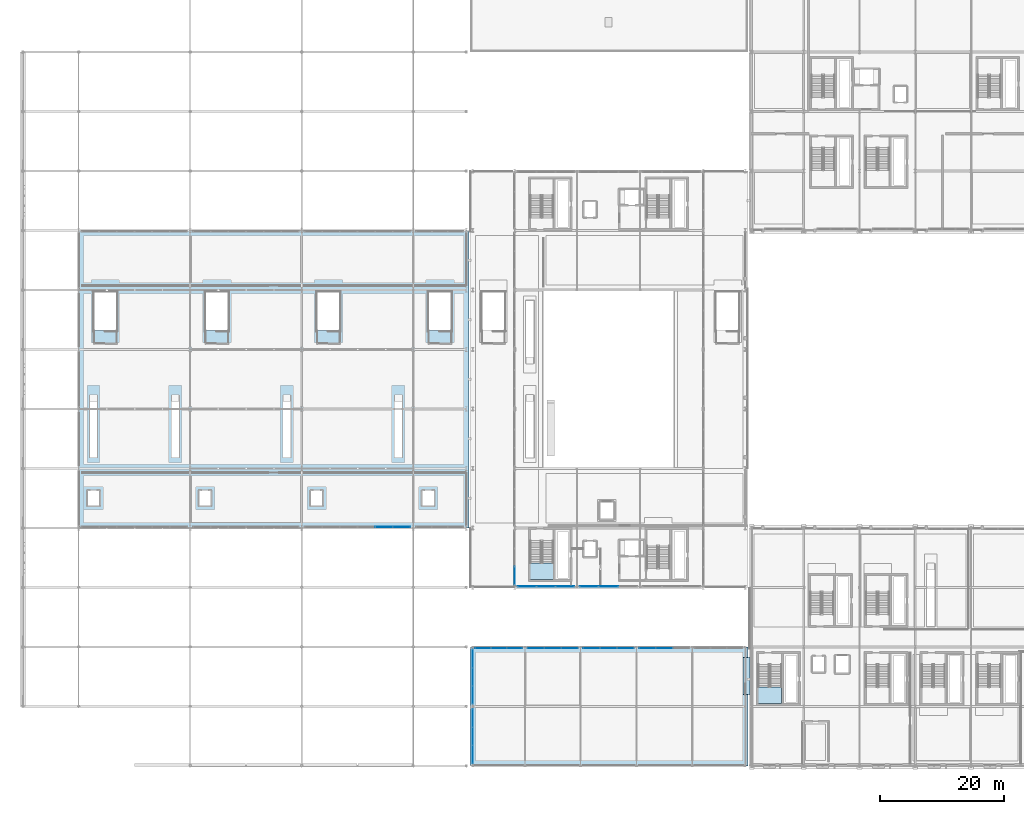
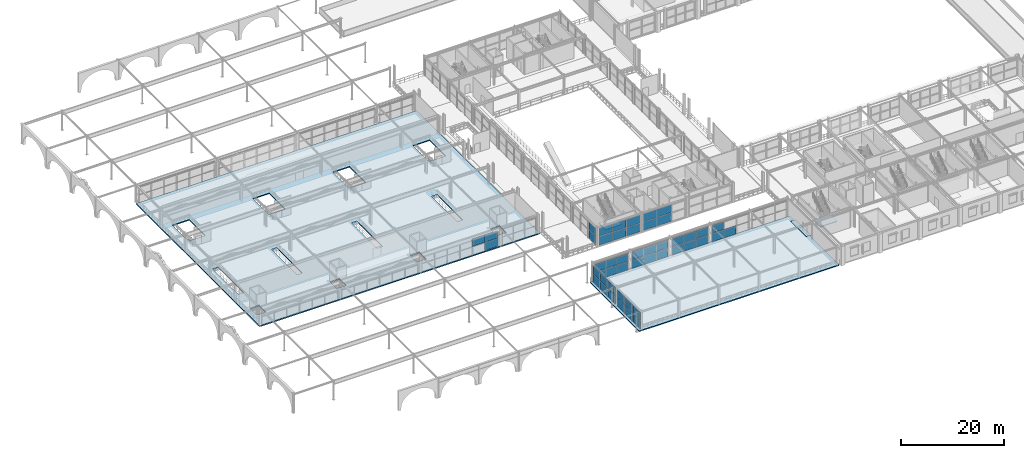
# One storey, part 59 of 125: 48 plates, 5 slabs, 12 elements without a shape of their own.
"""IFC4 building model written with IfcOpenShell, lengths in metres."""

from ifc_helpers import new_model, si_unit, direction, frame, origin, origin_2d, place, context, subcontext, project, spatial, polyline, rectangle, outline, extrude, material, layer, layer_set, type_object, element, aggregate, save


model = new_model("IFC4")

# Units and contexts
model_context = context("Model", 3, precision=1e-05, world=origin(), true_north=direction((0.0, 1.0)))
body_context = subcontext(model_context, "Body", "Model", "MODEL_VIEW")
ifc_project = project(units=[si_unit("LENGTHUNIT", "METRE"), si_unit("AREAUNIT", "SQUARE_METRE"), si_unit("VOLUMEUNIT", "CUBIC_METRE"), si_unit("PLANEANGLEUNIT", "RADIAN"), si_unit("MASSUNIT", "GRAM", prefix="KILO")], contexts=[model_context])

# Site, building, storey
site_placement = place(None, origin())
site = spatial("IfcSite", under=ifc_project, at=site_placement, CompositionType="ELEMENT")
building_placement = place(site_placement, origin())
building = spatial("IfcBuilding", under=site, at=building_placement, Name="Myrtia Square Station", CompositionType="ELEMENT")
storey_placement = place(building_placement, frame((0.0, 0.0, 6.0)))
storey = spatial("IfcBuildingStorey", under=building, at=storey_placement, Name="L01", CompositionType="ELEMENT", Elevation=6.0)

# Curtain wall, plates
ifc_material_1 = material(Name="Dark bronze anodised aluminium", Category="aluminium")
ifc_layer_1 = layer(ifc_material_1, 0.159912109375, Name="Dark bronze anodised aluminium")
ifc_layer_set_1 = layer_set([ifc_layer_1], Name="Dark bronze anodised aluminium")
curtain_wall_type_1 = type_object("IfcCurtainWallType", Name="CW-TYPE-32-826x400", PredefinedType="USERDEFINED", material=ifc_layer_set_1)
curtain_wall_1_placement = place(storey_placement, origin())
curtain_wall_1 = element("IfcCurtainWall", 1, at=curtain_wall_1_placement, inside=storey, type_object=curtain_wall_type_1, Name="Concourse curtain wall CW-L01-107", ObjectType="CONCOURSE CURTAIN WALL", PredefinedType="USERDEFINED")
ifc_material_2 = material(Name="Tinted low-E solar control glass", Category="glass")
ifc_layer_2 = layer(ifc_material_2, 0.02392578125, Name="Tinted low-E solar control glass")
ifc_layer_set_2 = layer_set([ifc_layer_2], Name="Tinted low-E solar control glass")
plate_type_1 = type_object("IfcPlateType", Name="CWP-GLZ-24", PredefinedType="CURTAIN_PANEL", material=ifc_layer_set_2)
plate_1_placement = place(storey_placement, frame((91.762939453125, 19.0, 0.06494140625), z_axis=(0.0, 0.0, 1.0), x_axis=(1.0, 0.0, 0.0)))
plate_1 = element("IfcPlate", 2, at=plate_1_placement, type_object=plate_type_1, Name="CW-107 panel 1.1", PredefinedType="CURTAIN_PANEL", context=body_context, shape_type="SweptSolid", body=[
    extrude(rectangle(XDim=2.65576171875, YDim=0.02392578125, at=origin_2d()), origin(), (0.0, 0.0, 1.0), 1.982421875),
])
plate_2_placement = place(storey_placement, frame((91.762939453125, 19.0, 2.1123046875), z_axis=(0.0, 0.0, 1.0), x_axis=(1.0, 0.0, 0.0)))
plate_2 = element("IfcPlate", 3, at=plate_2_placement, type_object=plate_type_1, Name="CW-107 panel 1.2", PredefinedType="CURTAIN_PANEL", context=body_context, shape_type="SweptSolid", body=[
    extrude(rectangle(XDim=2.65576171875, YDim=0.02392578125, at=origin_2d()), origin(), (0.0, 0.0, 1.0), 1.822509765625),
])
plate_3_placement = place(storey_placement, frame((94.5, 19.0, 0.06494140625), z_axis=(0.0, 0.0, 1.0), x_axis=(1.0, 0.0, 0.0)))
plate_3 = element("IfcPlate", 4, at=plate_3_placement, type_object=plate_type_1, Name="CW-107 panel 2.1", PredefinedType="CURTAIN_PANEL", context=body_context, shape_type="SweptSolid", body=[
    extrude(rectangle(XDim=2.688232421875, YDim=0.02392578125, at=origin_2d()), origin(), (0.0, 0.0, 1.0), 1.982421875),
])
plate_4_placement = place(storey_placement, frame((94.5, 19.0, 2.1123046875), z_axis=(0.0, 0.0, 1.0), x_axis=(1.0, 0.0, 0.0)))
plate_4 = element("IfcPlate", 5, at=plate_4_placement, type_object=plate_type_1, Name="CW-107 panel 2.2", PredefinedType="CURTAIN_PANEL", context=body_context, shape_type="SweptSolid", body=[
    extrude(rectangle(XDim=2.688232421875, YDim=0.02392578125, at=origin_2d()), origin(), (0.0, 0.0, 1.0), 1.822509765625),
])
plate_5_placement = place(storey_placement, frame((97.237060546875, 19.0, 0.06494140625), z_axis=(0.0, 0.0, 1.0), x_axis=(1.0, 0.0, 0.0)))
plate_5 = element("IfcPlate", 6, at=plate_5_placement, type_object=plate_type_1, Name="CW-107 panel 3.1", PredefinedType="CURTAIN_PANEL", context=body_context, shape_type="SweptSolid", body=[
    extrude(rectangle(XDim=2.65576171875, YDim=0.02392578125, at=origin_2d()), origin(), (0.0, 0.0, 1.0), 1.982421875),
])
plate_6_placement = place(storey_placement, frame((97.237060546875, 19.0, 2.1123046875), z_axis=(0.0, 0.0, 1.0), x_axis=(1.0, 0.0, 0.0)))
plate_6 = element("IfcPlate", 7, at=plate_6_placement, type_object=plate_type_1, Name="CW-107 panel 3.2", PredefinedType="CURTAIN_PANEL", context=body_context, shape_type="SweptSolid", body=[
    extrude(rectangle(XDim=2.65576171875, YDim=0.02392578125, at=origin_2d()), origin(), (0.0, 0.0, 1.0), 1.822509765625),
])
aggregate(curtain_wall_1, [plate_1, plate_2, plate_3, plate_4, plate_5, plate_6])

ifc_layer_3 = layer(ifc_material_1, 0.159912109375, Name="Dark bronze anodised aluminium")
ifc_layer_set_3 = layer_set([ifc_layer_3], Name="Dark bronze anodised aluminium")
curtain_wall_type_2 = type_object("IfcCurtainWallType", Name="CW-TYPE-10-946x415", PredefinedType="USERDEFINED", material=ifc_layer_set_3)
curtain_wall_2_placement = place(storey_placement, origin())
curtain_wall_2 = element("IfcCurtainWall", 8, at=curtain_wall_2_placement, inside=storey, type_object=curtain_wall_type_2, Name="Concourse curtain wall CW-L01-043", ObjectType="CONCOURSE CURTAIN WALL", PredefinedType="USERDEFINED")
ifc_layer_4 = layer(ifc_material_2, 0.028076171875, Name="Tinted low-E solar control glass")
ifc_layer_set_4 = layer_set([ifc_layer_4], Name="Tinted low-E solar control glass")
plate_type_2 = type_object("IfcPlateType", Name="CWP-GLZ-28", PredefinedType="CURTAIN_PANEL", material=ifc_layer_set_4)
plate_7_placement = place(storey_placement, frame((91.365478515625, 28.949951171875, 0.074951171875), z_axis=(0.0, 0.0, 1.0), x_axis=(1.0, 0.0, 0.0)))
plate_7 = element("IfcPlate", 9, at=plate_7_placement, type_object=plate_type_2, Name="CW-043 panel 1.1", PredefinedType="CURTAIN_PANEL", context=body_context, shape_type="SweptSolid", body=[
    extrude(rectangle(XDim=3.040771484375, YDim=0.028076171875, at=origin_2d()), origin(), (0.0, 0.0, 1.0), 2.04541015625),
])
plate_8_placement = place(storey_placement, frame((91.365478515625, 28.949951171875, 2.195556640625), z_axis=(0.0, 0.0, 1.0), x_axis=(1.0, 0.0, 0.0)))
plate_8 = element("IfcPlate", 10, at=plate_8_placement, type_object=plate_type_2, Name="CW-043 panel 1.2", PredefinedType="CURTAIN_PANEL", context=body_context, shape_type="SweptSolid", body=[
    extrude(rectangle(XDim=3.040771484375, YDim=0.028076171875, at=origin_2d()), origin(), (0.0, 0.0, 1.0), 1.87939453125),
])
plate_9_placement = place(storey_placement, frame((94.5, 28.949951171875, 0.074951171875), z_axis=(0.0, 0.0, 1.0), x_axis=(1.0, 0.0, 0.0)))
plate_9 = element("IfcPlate", 11, at=plate_9_placement, type_object=plate_type_2, Name="CW-043 panel 2.1", PredefinedType="CURTAIN_PANEL", context=body_context, shape_type="SweptSolid", body=[
    extrude(rectangle(XDim=3.078369140625, YDim=0.028076171875, at=origin_2d()), origin(), (0.0, 0.0, 1.0), 2.04541015625),
])
plate_10_placement = place(storey_placement, frame((94.5, 28.949951171875, 2.195556640625), z_axis=(0.0, 0.0, 1.0), x_axis=(1.0, 0.0, 0.0)))
plate_10 = element("IfcPlate", 12, at=plate_10_placement, type_object=plate_type_2, Name="CW-043 panel 2.2", PredefinedType="CURTAIN_PANEL", context=body_context, shape_type="SweptSolid", body=[
    extrude(rectangle(XDim=3.078369140625, YDim=0.028076171875, at=origin_2d()), origin(), (0.0, 0.0, 1.0), 1.87939453125),
])
aggregate(curtain_wall_2, [plate_7, plate_8, plate_9, plate_10])

ifc_layer_5 = layer(ifc_material_1, 0.159912109375, Name="Dark bronze anodised aluminium")
ifc_layer_set_5 = layer_set([ifc_layer_5], Name="Dark bronze anodised aluminium")
curtain_wall_type_3 = type_object("IfcCurtainWallType", Name="CW-TYPE-18-855x385", PredefinedType="USERDEFINED", material=ifc_layer_set_5)
curtain_wall_3_placement = place(storey_placement, origin())
curtain_wall_3 = element("IfcCurtainWall", 13, at=curtain_wall_3_placement, inside=storey, type_object=curtain_wall_type_3, Name="Concourse curtain wall CW-L01-069", ObjectType="CONCOURSE CURTAIN WALL", PredefinedType="USERDEFINED")
plate_11_placement = place(storey_placement, frame((58.27490234375, 38.550048828125, 2.03173828125), z_axis=(0.0, 0.0, 1.0), x_axis=(1.0, 0.0, 0.0)))
plate_11 = element("IfcPlate", 14, at=plate_11_placement, type_object=plate_type_2, Name="CW-069 panel 2.2", PredefinedType="CURTAIN_PANEL", context=body_context, shape_type="SweptSolid", body=[
    extrude(rectangle(XDim=2.7900390625, YDim=0.028076171875, at=origin_2d()), origin(), (0.0, 0.0, 1.0), 1.758056640625),
])
plate_12_placement = place(storey_placement, frame((61.110107421875, 38.550048828125, 0.06005859375), z_axis=(0.0, 0.0, 1.0), x_axis=(1.0, 0.0, 0.0)))
plate_12 = element("IfcPlate", 15, at=plate_12_placement, type_object=plate_type_2, Name="CW-069 panel 3.1", PredefinedType="CURTAIN_PANEL", context=body_context, shape_type="SweptSolid", body=[
    extrude(rectangle(XDim=2.760009765625, YDim=0.028076171875, at=origin_2d()), origin(), (0.0, 0.0, 1.0), 1.912109375),
])
plate_13_placement = place(storey_placement, frame((61.110107421875, 38.550048828125, 2.03173828125), z_axis=(0.0, 0.0, 1.0), x_axis=(1.0, 0.0, 0.0)))
plate_13 = element("IfcPlate", 16, at=plate_13_placement, type_object=plate_type_2, Name="CW-069 panel 3.2", PredefinedType="CURTAIN_PANEL", context=body_context, shape_type="SweptSolid", body=[
    extrude(rectangle(XDim=2.760009765625, YDim=0.028076171875, at=origin_2d()), origin(), (0.0, 0.0, 1.0), 1.758056640625),
])
aggregate(curtain_wall_3, [plate_11, plate_12, plate_13])

ifc_layer_6 = layer(ifc_material_1, 0.159912109375, Name="Dark bronze anodised aluminium")
ifc_layer_set_6 = layer_set([ifc_layer_6], Name="Dark bronze anodised aluminium")
curtain_wall_type_4 = type_object("IfcCurtainWallType", Name="CW-TYPE-03-880x400", PredefinedType="USERDEFINED", material=ifc_layer_set_6)
curtain_wall_4_placement = place(storey_placement, origin())
curtain_wall_4 = element("IfcCurtainWall", 17, at=curtain_wall_4_placement, inside=storey, type_object=curtain_wall_type_4, Name="Concourse curtain wall CW-L01-005", ObjectType="CONCOURSE CURTAIN WALL", PredefinedType="USERDEFINED")
ifc_layer_7 = layer(ifc_material_2, 0.031982421875, Name="Tinted low-E solar control glass")
ifc_layer_set_7 = layer_set([ifc_layer_7], Name="Tinted low-E solar control glass")
plate_type_3 = type_object("IfcPlateType", Name="CWP-GLZ-32", PredefinedType="CURTAIN_PANEL", material=ifc_layer_set_7)
plate_14_placement = place(storey_placement, frame((79.35009765625, 30.682861328125, 0.06494140625), z_axis=(0.0, 0.0, 1.0), x_axis=(0.0, 1.0, 0.0)))
plate_14 = element("IfcPlate", 18, at=plate_14_placement, type_object=plate_type_3, Name="CW-005 panel 1.1", PredefinedType="CURTAIN_PANEL", context=body_context, shape_type="SweptSolid", body=[
    extrude(rectangle(XDim=2.8359375, YDim=0.031982421875, at=origin_2d()), origin(), (0.0, 0.0, 1.0), 1.982421875),
])
plate_15_placement = place(storey_placement, frame((79.35009765625, 30.682861328125, 2.1123046875), z_axis=(0.0, 0.0, 1.0), x_axis=(0.0, 1.0, 0.0)))
plate_15 = element("IfcPlate", 19, at=plate_15_placement, type_object=plate_type_3, Name="CW-005 panel 1.2", PredefinedType="CURTAIN_PANEL", context=body_context, shape_type="SweptSolid", body=[
    extrude(rectangle(XDim=2.8359375, YDim=0.031982421875, at=origin_2d()), origin(), (0.0, 0.0, 1.0), 1.822509765625),
])
aggregate(curtain_wall_4, [plate_14, plate_15])

curtain_wall_5_placement = place(storey_placement, origin())
curtain_wall_5 = element("IfcCurtainWall", 20, at=curtain_wall_5_placement, inside=storey, type_object=curtain_wall_type_1, Name="Concourse curtain wall CW-L01-105", ObjectType="CONCOURSE CURTAIN WALL", PredefinedType="USERDEFINED")
plate_16_placement = place(storey_placement, frame((82.762939453125, 19.0, 0.06494140625), z_axis=(0.0, 0.0, 1.0), x_axis=(1.0, 0.0, 0.0)))
plate_16 = element("IfcPlate", 21, at=plate_16_placement, type_object=plate_type_3, Name="CW-105 panel 1.1", PredefinedType="CURTAIN_PANEL", context=body_context, shape_type="SweptSolid", body=[
    extrude(rectangle(XDim=2.65576171875, YDim=0.031982421875, at=origin_2d()), origin(), (0.0, 0.0, 1.0), 1.982421875),
])
plate_17_placement = place(storey_placement, frame((82.762939453125, 19.0, 2.1123046875), z_axis=(0.0, 0.0, 1.0), x_axis=(1.0, 0.0, 0.0)))
plate_17 = element("IfcPlate", 22, at=plate_17_placement, type_object=plate_type_3, Name="CW-105 panel 1.2", PredefinedType="CURTAIN_PANEL", context=body_context, shape_type="SweptSolid", body=[
    extrude(rectangle(XDim=2.65576171875, YDim=0.031982421875, at=origin_2d()), origin(), (0.0, 0.0, 1.0), 1.822509765625),
])
plate_18_placement = place(storey_placement, frame((85.5, 19.0, 0.06494140625), z_axis=(0.0, 0.0, 1.0), x_axis=(1.0, 0.0, 0.0)))
plate_18 = element("IfcPlate", 23, at=plate_18_placement, type_object=plate_type_3, Name="CW-105 panel 2.1", PredefinedType="CURTAIN_PANEL", context=body_context, shape_type="SweptSolid", body=[
    extrude(rectangle(XDim=2.688232421875, YDim=0.031982421875, at=origin_2d()), origin(), (0.0, 0.0, 1.0), 1.982421875),
])
plate_19_placement = place(storey_placement, frame((85.5, 19.0, 2.1123046875), z_axis=(0.0, 0.0, 1.0), x_axis=(1.0, 0.0, 0.0)))
plate_19 = element("IfcPlate", 24, at=plate_19_placement, type_object=plate_type_3, Name="CW-105 panel 2.2", PredefinedType="CURTAIN_PANEL", context=body_context, shape_type="SweptSolid", body=[
    extrude(rectangle(XDim=2.688232421875, YDim=0.031982421875, at=origin_2d()), origin(), (0.0, 0.0, 1.0), 1.822509765625),
])
plate_20_placement = place(storey_placement, frame((88.237060546875, 19.0, 0.06494140625), z_axis=(0.0, 0.0, 1.0), x_axis=(1.0, 0.0, 0.0)))
plate_20 = element("IfcPlate", 25, at=plate_20_placement, type_object=plate_type_3, Name="CW-105 panel 3.1", PredefinedType="CURTAIN_PANEL", context=body_context, shape_type="SweptSolid", body=[
    extrude(rectangle(XDim=2.65576171875, YDim=0.031982421875, at=origin_2d()), origin(), (0.0, 0.0, 1.0), 1.982421875),
])
plate_21_placement = place(storey_placement, frame((88.237060546875, 19.0, 2.1123046875), z_axis=(0.0, 0.0, 1.0), x_axis=(1.0, 0.0, 0.0)))
plate_21 = element("IfcPlate", 26, at=plate_21_placement, type_object=plate_type_3, Name="CW-105 panel 3.2", PredefinedType="CURTAIN_PANEL", context=body_context, shape_type="SweptSolid", body=[
    extrude(rectangle(XDim=2.65576171875, YDim=0.031982421875, at=origin_2d()), origin(), (0.0, 0.0, 1.0), 1.822509765625),
])
aggregate(curtain_wall_5, [plate_16, plate_17, plate_18, plate_19, plate_20, plate_21])

ifc_layer_8 = layer(ifc_material_1, 0.159912109375, Name="Dark bronze anodised aluminium")
ifc_layer_set_8 = layer_set([ifc_layer_8], Name="Dark bronze anodised aluminium")
curtain_wall_type_5 = type_object("IfcCurtainWallType", Name="CW-TYPE-36-886x400", PredefinedType="USERDEFINED", material=ifc_layer_set_8)
curtain_wall_6_placement = place(storey_placement, origin())
curtain_wall_6 = element("IfcCurtainWall", 27, at=curtain_wall_6_placement, inside=storey, type_object=curtain_wall_type_5, Name="Concourse curtain wall CW-L01-114", ObjectType="CONCOURSE CURTAIN WALL", PredefinedType="USERDEFINED")
plate_22_placement = place(storey_placement, frame((72.60009765625, 1.861572265625, 0.06005859375), z_axis=(0.0, 0.0, 1.0), x_axis=(0.0, 1.0, 0.0)))
plate_22 = element("IfcPlate", 28, at=plate_22_placement, type_object=plate_type_3, Name="CW-114 panel 1.1", PredefinedType="CURTAIN_PANEL", context=body_context, shape_type="SweptSolid", body=[
    extrude(rectangle(XDim=2.86328125, YDim=0.031982421875, at=origin_2d()), origin(), (0.0, 0.0, 1.0), 1.989990234375),
])
plate_23_placement = place(storey_placement, frame((72.60009765625, 1.861572265625, 2.10986328125), z_axis=(0.0, 0.0, 1.0), x_axis=(0.0, 1.0, 0.0)))
plate_23 = element("IfcPlate", 29, at=plate_23_placement, type_object=plate_type_3, Name="CW-114 panel 1.2", PredefinedType="CURTAIN_PANEL", context=body_context, shape_type="SweptSolid", body=[
    extrude(rectangle(XDim=2.86328125, YDim=0.031982421875, at=origin_2d()), origin(), (0.0, 0.0, 1.0), 1.830078125),
])
plate_24_placement = place(storey_placement, frame((72.60009765625, 4.800048828125, 0.06005859375), z_axis=(0.0, 0.0, 1.0), x_axis=(0.0, 1.0, 0.0)))
plate_24 = element("IfcPlate", 30, at=plate_24_placement, type_object=plate_type_3, Name="CW-114 panel 2.1", PredefinedType="CURTAIN_PANEL", context=body_context, shape_type="SweptSolid", body=[
    extrude(rectangle(XDim=2.893310546875, YDim=0.031982421875, at=origin_2d()), origin(), (0.0, 0.0, 1.0), 1.989990234375),
])
plate_25_placement = place(storey_placement, frame((72.60009765625, 4.800048828125, 2.10986328125), z_axis=(0.0, 0.0, 1.0), x_axis=(0.0, 1.0, 0.0)))
plate_25 = element("IfcPlate", 31, at=plate_25_placement, type_object=plate_type_3, Name="CW-114 panel 2.2", PredefinedType="CURTAIN_PANEL", context=body_context, shape_type="SweptSolid", body=[
    extrude(rectangle(XDim=2.893310546875, YDim=0.031982421875, at=origin_2d()), origin(), (0.0, 0.0, 1.0), 1.830078125),
])
plate_26_placement = place(storey_placement, frame((72.60009765625, 7.73828125, 0.06005859375), z_axis=(0.0, 0.0, 1.0), x_axis=(0.0, 1.0, 0.0)))
plate_26 = element("IfcPlate", 32, at=plate_26_placement, type_object=plate_type_3, Name="CW-114 panel 3.1", PredefinedType="CURTAIN_PANEL", context=body_context, shape_type="SweptSolid", body=[
    extrude(rectangle(XDim=2.86328125, YDim=0.031982421875, at=origin_2d()), origin(), (0.0, 0.0, 1.0), 1.989990234375),
])
plate_27_placement = place(storey_placement, frame((72.60009765625, 7.73828125, 2.10986328125), z_axis=(0.0, 0.0, 1.0), x_axis=(0.0, 1.0, 0.0)))
plate_27 = element("IfcPlate", 33, at=plate_27_placement, type_object=plate_type_3, Name="CW-114 panel 3.2", PredefinedType="CURTAIN_PANEL", context=body_context, shape_type="SweptSolid", body=[
    extrude(rectangle(XDim=2.86328125, YDim=0.031982421875, at=origin_2d()), origin(), (0.0, 0.0, 1.0), 1.830078125),
])
aggregate(curtain_wall_6, [plate_22, plate_23, plate_24, plate_25, plate_26, plate_27])

ifc_layer_9 = layer(ifc_material_1, 0.159912109375, Name="Dark bronze anodised aluminium")
ifc_layer_set_9 = layer_set([ifc_layer_9], Name="Dark bronze anodised aluminium")
curtain_wall_type_6 = type_object("IfcCurtainWallType", Name="CW-TYPE-09-928x415", PredefinedType="USERDEFINED", material=ifc_layer_set_9)
curtain_wall_7_placement = place(storey_placement, origin())
curtain_wall_7 = element("IfcCurtainWall", 34, at=curtain_wall_7_placement, inside=storey, type_object=curtain_wall_type_6, Name="Concourse curtain wall CW-L01-041", ObjectType="CONCOURSE CURTAIN WALL", PredefinedType="USERDEFINED")
ifc_layer_10 = layer(ifc_material_2, 0.035888671875, Name="Tinted low-E solar control glass")
ifc_layer_set_10 = layer_set([ifc_layer_10], Name="Tinted low-E solar control glass")
plate_type_4 = type_object("IfcPlateType", Name="CWP-GLZ-36", PredefinedType="CURTAIN_PANEL", material=ifc_layer_set_10)
plate_28_placement = place(storey_placement, frame((81.3154296875, 28.949951171875, 0.074951171875), z_axis=(0.0, 0.0, 1.0), x_axis=(1.0, 0.0, 0.0)))
plate_28 = element("IfcPlate", 35, at=plate_28_placement, type_object=plate_type_4, Name="CW-041 panel 1.1", PredefinedType="CURTAIN_PANEL", context=body_context, shape_type="SweptSolid", body=[
    extrude(rectangle(XDim=2.980712890625, YDim=0.035888671875, at=origin_2d()), origin(), (0.0, 0.0, 1.0), 2.04541015625),
])
plate_29_placement = place(storey_placement, frame((81.3154296875, 28.949951171875, 2.195556640625), z_axis=(0.0, 0.0, 1.0), x_axis=(1.0, 0.0, 0.0)))
plate_29 = element("IfcPlate", 36, at=plate_29_placement, type_object=plate_type_4, Name="CW-041 panel 1.2", PredefinedType="CURTAIN_PANEL", context=body_context, shape_type="SweptSolid", body=[
    extrude(rectangle(XDim=2.980712890625, YDim=0.035888671875, at=origin_2d()), origin(), (0.0, 0.0, 1.0), 1.87939453125),
])
plate_30_placement = place(storey_placement, frame((84.389892578125, 28.949951171875, 0.074951171875), z_axis=(0.0, 0.0, 1.0), x_axis=(1.0, 0.0, 0.0)))
plate_30 = element("IfcPlate", 37, at=plate_30_placement, type_object=plate_type_4, Name="CW-041 panel 2.1", PredefinedType="CURTAIN_PANEL", context=body_context, shape_type="SweptSolid", body=[
    extrude(rectangle(XDim=3.018310546875, YDim=0.035888671875, at=origin_2d()), origin(), (0.0, 0.0, 1.0), 2.04541015625),
])
plate_31_placement = place(storey_placement, frame((84.389892578125, 28.949951171875, 2.195556640625), z_axis=(0.0, 0.0, 1.0), x_axis=(1.0, 0.0, 0.0)))
plate_31 = element("IfcPlate", 38, at=plate_31_placement, type_object=plate_type_4, Name="CW-041 panel 2.2", PredefinedType="CURTAIN_PANEL", context=body_context, shape_type="SweptSolid", body=[
    extrude(rectangle(XDim=3.018310546875, YDim=0.035888671875, at=origin_2d()), origin(), (0.0, 0.0, 1.0), 1.87939453125),
])
plate_32_placement = place(storey_placement, frame((87.464599609375, 28.949951171875, 0.074951171875), z_axis=(0.0, 0.0, 1.0), x_axis=(1.0, 0.0, 0.0)))
plate_32 = element("IfcPlate", 39, at=plate_32_placement, type_object=plate_type_4, Name="CW-041 panel 3.1", PredefinedType="CURTAIN_PANEL", context=body_context, shape_type="SweptSolid", body=[
    extrude(rectangle(XDim=2.980712890625, YDim=0.035888671875, at=origin_2d()), origin(), (0.0, 0.0, 1.0), 2.04541015625),
])
plate_33_placement = place(storey_placement, frame((87.464599609375, 28.949951171875, 2.195556640625), z_axis=(0.0, 0.0, 1.0), x_axis=(1.0, 0.0, 0.0)))
plate_33 = element("IfcPlate", 40, at=plate_33_placement, type_object=plate_type_4, Name="CW-041 panel 3.2", PredefinedType="CURTAIN_PANEL", context=body_context, shape_type="SweptSolid", body=[
    extrude(rectangle(XDim=2.980712890625, YDim=0.035888671875, at=origin_2d()), origin(), (0.0, 0.0, 1.0), 1.87939453125),
])
aggregate(curtain_wall_7, [plate_28, plate_29, plate_30, plate_31, plate_32, plate_33])

ifc_layer_11 = layer(ifc_material_1, 0.159912109375, Name="Dark bronze anodised aluminium")
ifc_layer_set_11 = layer_set([ifc_layer_11], Name="Dark bronze anodised aluminium")
curtain_wall_type_7 = type_object("IfcCurtainWallType", Name="CW-TYPE-29-766x400", PredefinedType="USERDEFINED", material=ifc_layer_set_11)
curtain_wall_8_placement = place(storey_placement, origin())
curtain_wall_8 = element("IfcCurtainWall", 41, at=curtain_wall_8_placement, inside=storey, type_object=curtain_wall_type_7, Name="Concourse curtain wall CW-L01-102", ObjectType="CONCOURSE CURTAIN WALL", PredefinedType="USERDEFINED")
plate_34_placement = place(storey_placement, frame((74.262939453125, 19.0, 0.06494140625), z_axis=(0.0, 0.0, 1.0), x_axis=(1.0, 0.0, 0.0)))
plate_34 = element("IfcPlate", 42, at=plate_34_placement, type_object=plate_type_4, Name="CW-102 panel 1.1", PredefinedType="CURTAIN_PANEL", context=body_context, shape_type="SweptSolid", body=[
    extrude(rectangle(XDim=2.455810546875, YDim=0.035888671875, at=origin_2d()), origin(), (0.0, 0.0, 1.0), 1.982421875),
])
plate_35_placement = place(storey_placement, frame((74.262939453125, 19.0, 2.1123046875), z_axis=(0.0, 0.0, 1.0), x_axis=(1.0, 0.0, 0.0)))
plate_35 = element("IfcPlate", 43, at=plate_35_placement, type_object=plate_type_4, Name="CW-102 panel 1.2", PredefinedType="CURTAIN_PANEL", context=body_context, shape_type="SweptSolid", body=[
    extrude(rectangle(XDim=2.455810546875, YDim=0.035888671875, at=origin_2d()), origin(), (0.0, 0.0, 1.0), 1.822509765625),
])
plate_36_placement = place(storey_placement, frame((76.800048828125, 19.0, 0.06494140625), z_axis=(0.0, 0.0, 1.0), x_axis=(1.0, 0.0, 0.0)))
plate_36 = element("IfcPlate", 44, at=plate_36_placement, type_object=plate_type_4, Name="CW-102 panel 2.1", PredefinedType="CURTAIN_PANEL", context=body_context, shape_type="SweptSolid", body=[
    extrude(rectangle(XDim=2.48828125, YDim=0.035888671875, at=origin_2d()), origin(), (0.0, 0.0, 1.0), 1.982421875),
])
plate_37_placement = place(storey_placement, frame((76.800048828125, 19.0, 2.1123046875), z_axis=(0.0, 0.0, 1.0), x_axis=(1.0, 0.0, 0.0)))
plate_37 = element("IfcPlate", 45, at=plate_37_placement, type_object=plate_type_4, Name="CW-102 panel 2.2", PredefinedType="CURTAIN_PANEL", context=body_context, shape_type="SweptSolid", body=[
    extrude(rectangle(XDim=2.48828125, YDim=0.035888671875, at=origin_2d()), origin(), (0.0, 0.0, 1.0), 1.822509765625),
])
plate_38_placement = place(storey_placement, frame((79.337158203125, 19.0, 0.06494140625), z_axis=(0.0, 0.0, 1.0), x_axis=(1.0, 0.0, 0.0)))
plate_38 = element("IfcPlate", 46, at=plate_38_placement, type_object=plate_type_4, Name="CW-102 panel 3.1", PredefinedType="CURTAIN_PANEL", context=body_context, shape_type="SweptSolid", body=[
    extrude(rectangle(XDim=2.455810546875, YDim=0.035888671875, at=origin_2d()), origin(), (0.0, 0.0, 1.0), 1.982421875),
])
plate_39_placement = place(storey_placement, frame((79.337158203125, 19.0, 2.1123046875), z_axis=(0.0, 0.0, 1.0), x_axis=(1.0, 0.0, 0.0)))
plate_39 = element("IfcPlate", 47, at=plate_39_placement, type_object=plate_type_4, Name="CW-102 panel 3.2", PredefinedType="CURTAIN_PANEL", context=body_context, shape_type="SweptSolid", body=[
    extrude(rectangle(XDim=2.455810546875, YDim=0.035888671875, at=origin_2d()), origin(), (0.0, 0.0, 1.0), 1.822509765625),
])
aggregate(curtain_wall_8, [plate_34, plate_35, plate_36, plate_37, plate_38, plate_39])

curtain_wall_9_placement = place(storey_placement, origin())
curtain_wall_9 = element("IfcCurtainWall", 48, at=curtain_wall_9_placement, inside=storey, type_object=curtain_wall_type_1, Name="Concourse curtain wall CW-L01-110", ObjectType="CONCOURSE CURTAIN WALL", PredefinedType="USERDEFINED")
plate_40_placement = place(storey_placement, frame((100.762939453125, 19.0, 0.06494140625), z_axis=(0.0, 0.0, 1.0), x_axis=(1.0, 0.0, 0.0)))
plate_40 = element("IfcPlate", 49, at=plate_40_placement, type_object=plate_type_4, Name="CW-110 panel 1.1", PredefinedType="CURTAIN_PANEL", context=body_context, shape_type="SweptSolid", body=[
    extrude(rectangle(XDim=2.65576171875, YDim=0.035888671875, at=origin_2d()), origin(), (0.0, 0.0, 1.0), 1.982421875),
])
plate_41_placement = place(storey_placement, frame((100.762939453125, 19.0, 2.1123046875), z_axis=(0.0, 0.0, 1.0), x_axis=(1.0, 0.0, 0.0)))
plate_41 = element("IfcPlate", 50, at=plate_41_placement, type_object=plate_type_4, Name="CW-110 panel 1.2", PredefinedType="CURTAIN_PANEL", context=body_context, shape_type="SweptSolid", body=[
    extrude(rectangle(XDim=2.65576171875, YDim=0.035888671875, at=origin_2d()), origin(), (0.0, 0.0, 1.0), 1.822509765625),
])
plate_42_placement = place(storey_placement, frame((103.5, 19.0, 0.06494140625), z_axis=(0.0, 0.0, 1.0), x_axis=(1.0, 0.0, 0.0)))
plate_42 = element("IfcPlate", 51, at=plate_42_placement, type_object=plate_type_4, Name="CW-110 panel 2.1", PredefinedType="CURTAIN_PANEL", context=body_context, shape_type="SweptSolid", body=[
    extrude(rectangle(XDim=2.688232421875, YDim=0.035888671875, at=origin_2d()), origin(), (0.0, 0.0, 1.0), 1.982421875),
])
aggregate(curtain_wall_9, [plate_40, plate_41, plate_42])

curtain_wall_10_placement = place(storey_placement, origin())
curtain_wall_10 = element("IfcCurtainWall", 52, at=curtain_wall_10_placement, inside=storey, type_object=curtain_wall_type_5, Name="Concourse curtain wall CW-L01-115", ObjectType="CONCOURSE CURTAIN WALL", PredefinedType="USERDEFINED")
plate_43_placement = place(storey_placement, frame((72.60009765625, 11.461669921875, 0.06005859375), z_axis=(0.0, 0.0, 1.0), x_axis=(0.0, 1.0, 0.0)))
plate_43 = element("IfcPlate", 53, at=plate_43_placement, type_object=plate_type_4, Name="CW-115 panel 1.1", PredefinedType="CURTAIN_PANEL", context=body_context, shape_type="SweptSolid", body=[
    extrude(rectangle(XDim=2.86328125, YDim=0.035888671875, at=origin_2d()), origin(), (0.0, 0.0, 1.0), 1.989990234375),
])
plate_44_placement = place(storey_placement, frame((72.60009765625, 11.461669921875, 2.10986328125), z_axis=(0.0, 0.0, 1.0), x_axis=(0.0, 1.0, 0.0)))
plate_44 = element("IfcPlate", 54, at=plate_44_placement, type_object=plate_type_4, Name="CW-115 panel 1.2", PredefinedType="CURTAIN_PANEL", context=body_context, shape_type="SweptSolid", body=[
    extrude(rectangle(XDim=2.86328125, YDim=0.035888671875, at=origin_2d()), origin(), (0.0, 0.0, 1.0), 1.830078125),
])
plate_45_placement = place(storey_placement, frame((72.60009765625, 14.39990234375, 0.06005859375), z_axis=(0.0, 0.0, 1.0), x_axis=(0.0, 1.0, 0.0)))
plate_45 = element("IfcPlate", 55, at=plate_45_placement, type_object=plate_type_4, Name="CW-115 panel 2.1", PredefinedType="CURTAIN_PANEL", context=body_context, shape_type="SweptSolid", body=[
    extrude(rectangle(XDim=2.893310546875, YDim=0.035888671875, at=origin_2d()), origin(), (0.0, 0.0, 1.0), 1.989990234375),
])
plate_46_placement = place(storey_placement, frame((72.60009765625, 14.39990234375, 2.10986328125), z_axis=(0.0, 0.0, 1.0), x_axis=(0.0, 1.0, 0.0)))
plate_46 = element("IfcPlate", 56, at=plate_46_placement, type_object=plate_type_4, Name="CW-115 panel 2.2", PredefinedType="CURTAIN_PANEL", context=body_context, shape_type="SweptSolid", body=[
    extrude(rectangle(XDim=2.893310546875, YDim=0.035888671875, at=origin_2d()), origin(), (0.0, 0.0, 1.0), 1.830078125),
])
plate_47_placement = place(storey_placement, frame((72.60009765625, 17.33837890625, 0.06005859375), z_axis=(0.0, 0.0, 1.0), x_axis=(0.0, 1.0, 0.0)))
plate_47 = element("IfcPlate", 57, at=plate_47_placement, type_object=plate_type_4, Name="CW-115 panel 3.1", PredefinedType="CURTAIN_PANEL", context=body_context, shape_type="SweptSolid", body=[
    extrude(rectangle(XDim=2.86328125, YDim=0.035888671875, at=origin_2d()), origin(), (0.0, 0.0, 1.0), 1.989990234375),
])
plate_48_placement = place(storey_placement, frame((72.60009765625, 17.33837890625, 2.10986328125), z_axis=(0.0, 0.0, 1.0), x_axis=(0.0, 1.0, 0.0)))
plate_48 = element("IfcPlate", 58, at=plate_48_placement, type_object=plate_type_4, Name="CW-115 panel 3.2", PredefinedType="CURTAIN_PANEL", context=body_context, shape_type="SweptSolid", body=[
    extrude(rectangle(XDim=2.86328125, YDim=0.035888671875, at=origin_2d()), origin(), (0.0, 0.0, 1.0), 1.830078125),
])
aggregate(curtain_wall_10, [plate_43, plate_44, plate_45, plate_46, plate_47, plate_48])

# Slabs
ifc_material_3 = material(Name="Concrete C35/45", Category="concrete")
ifc_layer_12 = layer(ifc_material_3, 0.239990234375, Name="Concrete C35/45")
ifc_layer_set_12 = layer_set([ifc_layer_12], Name="Concrete C35/45")
slab_type_1 = type_object("IfcSlabType", Name="SLB-FLR-240", PredefinedType="FLOOR", material=ifc_layer_set_12)
slab_1_placement = place(storey_placement, frame((0.0, 0.0, -0.239990234375)))
element("IfcSlab", 59, at=slab_1_placement, inside=storey, type_object=slab_type_1, Name="Structural floor slab SLB-L01-V4W", PredefinedType="FLOOR", context=body_context, shape_type="SweptSolid", body=[
    extrude(outline(polyline([(72.14990234375, 0.0), (117.0, 0.0), (117.0, 11.489990234375), (116.22998046875, 11.489990234375), (116.22998046875, 17.510009765625), (117.0, 17.510009765625), (117.0, 19.199951171875), (72.14990234375, 19.199951171875), (72.14990234375, 0.0)])), origin(), (0.0, 0.0, 1.0), 0.239990234375),
])
slab_2_placement = place(storey_placement, frame((0.0, 0.0, -0.239990234375)))
element("IfcSlab", 60, at=slab_2_placement, inside=storey, type_object=slab_type_1, Name="Seismic joint sliding link slab L01-V4", PredefinedType="FLOOR", context=body_context, shape_type="SweptSolid", body=[
    extrude(outline(polyline([(116.239990234375, 11.5), (117.300048828125, 11.5), (117.300048828125, 17.5), (116.239990234375, 17.5), (116.239990234375, 11.5)])), origin(), (0.0, 0.0, 1.0), 0.239990234375),
])
ifc_layer_13 = layer(ifc_material_3, 0.260009765625, Name="Concrete C35/45")
ifc_layer_set_13 = layer_set([ifc_layer_13], Name="Concrete C35/45")
slab_type_2 = type_object("IfcSlabType", Name="SLB-FLR-260", PredefinedType="FLOOR", material=ifc_layer_set_13)
slab_3_placement = place(storey_placement, frame((0.0, 0.0, -0.260009765625)))
element("IfcSlab", 61, at=slab_3_placement, inside=storey, type_object=slab_type_2, Name="Structural floor slab SLB-L01-V1", PredefinedType="FLOOR", context=body_context, shape_type="SweptSolid", body=[
    extrude(outline(polyline([(9.0, 38.39990234375), (72.0, 38.39990234375), (72.0, 86.39990234375), (9.0, 86.39990234375), (9.0, 38.39990234375)]), holes=[polyline([(11.43994140625, 70.22998046875), (11.43994140625, 76.5), (15.199951171875, 76.5), (15.199951171875, 70.22998046875), (11.43994140625, 70.22998046875)]), polyline([(29.43994140625, 70.22998046875), (29.43994140625, 76.5), (33.199951171875, 76.5), (33.199951171875, 70.22998046875), (29.43994140625, 70.22998046875)]), polyline([(47.43994140625, 70.22998046875), (47.43994140625, 76.5), (51.199951171875, 76.5), (51.199951171875, 70.22998046875), (47.43994140625, 70.22998046875)]), polyline([(65.43994140625, 70.22998046875), (65.43994140625, 76.5), (69.199951171875, 76.5), (69.199951171875, 70.22998046875), (65.43994140625, 70.22998046875)]), polyline([(10.35009765625, 41.89990234375), (10.35009765625, 44.5), (12.449951171875, 44.5), (12.449951171875, 41.89990234375), (10.35009765625, 41.89990234375)]), polyline([(28.35009765625, 41.89990234375), (28.35009765625, 44.5), (30.449951171875, 44.5), (30.449951171875, 41.89990234375), (28.35009765625, 41.89990234375)]), polyline([(46.35009765625, 41.89990234375), (46.35009765625, 44.5), (48.449951171875, 44.5), (48.449951171875, 41.89990234375), (46.35009765625, 41.89990234375)]), polyline([(64.35009765625, 41.89990234375), (64.35009765625, 44.5), (66.449951171875, 44.5), (66.449951171875, 41.89990234375), (64.35009765625, 41.89990234375)]), polyline([(10.7900390625, 49.800048828125), (10.7900390625, 59.699951171875), (12.010009765625, 59.699951171875), (12.010009765625, 49.800048828125), (10.7900390625, 49.800048828125)]), polyline([(23.989990234375, 49.800048828125), (23.989990234375, 59.699951171875), (25.2099609375, 59.699951171875), (25.2099609375, 49.800048828125), (23.989990234375, 49.800048828125)]), polyline([(41.989990234375, 49.800048828125), (41.989990234375, 59.699951171875), (43.2099609375, 59.699951171875), (43.2099609375, 49.800048828125), (41.989990234375, 49.800048828125)]), polyline([(59.989990234375, 49.800048828125), (59.989990234375, 59.699951171875), (61.2099609375, 59.699951171875), (61.2099609375, 49.800048828125), (59.989990234375, 49.800048828125)])]), origin(), (0.0, 0.0, 1.0), 0.260009765625),
])

# Stair, slab
stair_type = type_object("IfcStairType", Name="STR-03-28R-1800W", PredefinedType="HALF_TURN_STAIR", material=ifc_material_3)
stair_1_placement = place(storey_placement, origin())
stair_1 = element("IfcStair", 62, at=stair_1_placement, inside=storey, type_object=stair_type, Name="L01 Core escape stair ST01", PredefinedType="HALF_TURN_STAIR")
ifc_layer_14 = layer(ifc_material_3, 0.199951171875, Name="Concrete C35/45")
ifc_layer_set_14 = layer_set([ifc_layer_14], Name="Concrete C35/45")
slab_type_3 = type_object("IfcSlabType", Name="SLB-LAND-200", PredefinedType="LANDING", material=ifc_layer_set_14)
slab_4_placement = place(storey_placement, frame((0.0, 0.0, 2.199951171875)))
slab_4 = element("IfcSlab", 63, at=slab_4_placement, type_object=slab_type_3, Name="ST01 landing 1", PredefinedType="LANDING", context=body_context, shape_type="SweptSolid", body=[
    extrude(outline(polyline([(81.85009765625, 32.7099609375), (81.85009765625, 30.050048828125), (85.610107421875, 30.050048828125), (85.610107421875, 32.7099609375), (81.85009765625, 32.7099609375)])), origin(), (0.0, 0.0, 1.0), 0.199951171875),
])
aggregate(stair_1, [slab_4])

stair_2_placement = place(storey_placement, origin())
stair_2 = element("IfcStair", 64, at=stair_2_placement, inside=storey, type_object=stair_type, Name="L01 Core escape stair ST05", PredefinedType="HALF_TURN_STAIR")
slab_5_placement = place(storey_placement, frame((0.0, 0.0, 2.199951171875)))
slab_5 = element("IfcSlab", 65, at=slab_5_placement, type_object=slab_type_3, Name="ST05 landing 1", PredefinedType="LANDING", context=body_context, shape_type="SweptSolid", body=[
    extrude(outline(polyline([(118.64990234375, 12.7099609375), (118.64990234375, 10.050048828125), (122.409912109375, 10.050048828125), (122.409912109375, 12.7099609375), (118.64990234375, 12.7099609375)])), origin(), (0.0, 0.0, 1.0), 0.199951171875),
])
aggregate(stair_2, [slab_5])

save(model, "model.ifc")
